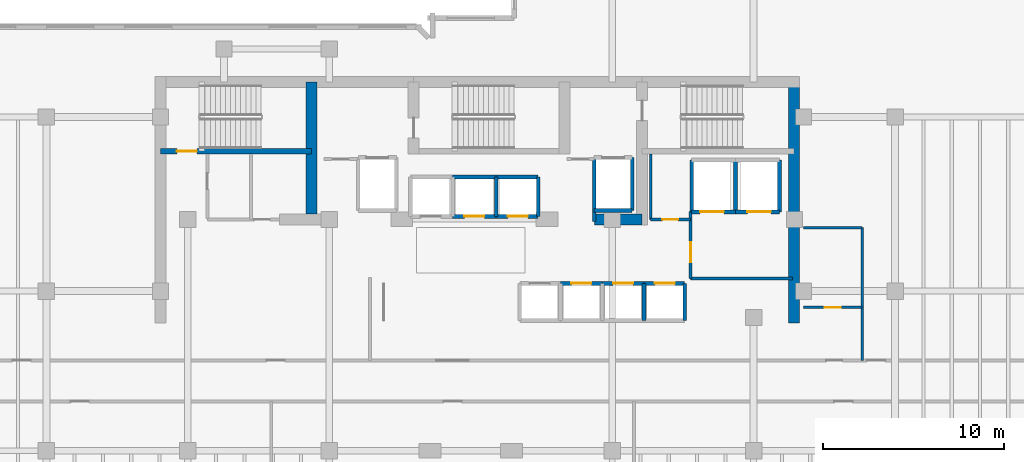
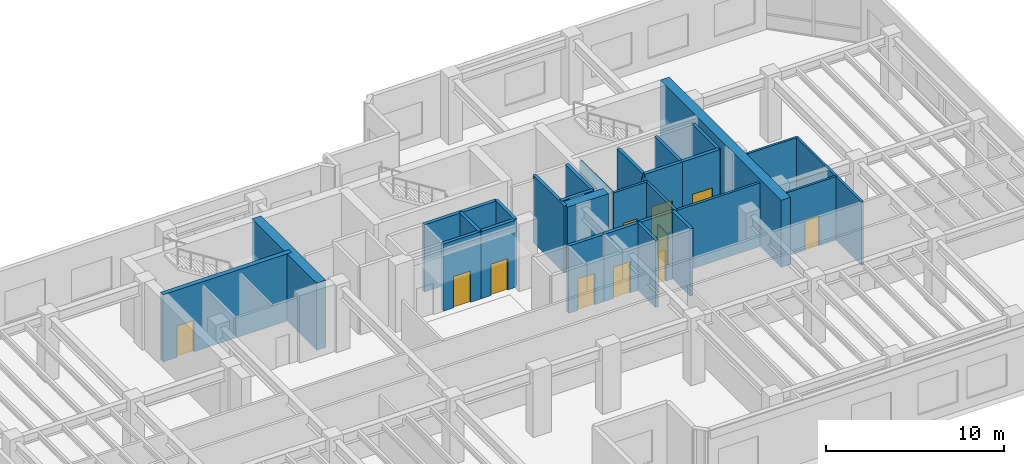
# One storey, part 15 of 20: 30 walls, 11 doors, 11 openings.
"""IFC4 building model written with IfcOpenShell, lengths in metres."""

from ifc_helpers import new_model, si_unit, direction, frame, frame_2d, origin, place, context, subcontext, project, spatial, rectangle, extrude, material, layer, layer_set, type_object, element, fill, save


model = new_model("IFC4")

# Units and contexts
model_context = context("Model", 3, precision=1e-05, world=origin(), true_north=direction((0.0, 1.0)))
body_context = subcontext(model_context, "Body", "Model", "MODEL_VIEW")
ifc_project = project(units=[si_unit("LENGTHUNIT", "METRE"), si_unit("AREAUNIT", "SQUARE_METRE"), si_unit("VOLUMEUNIT", "CUBIC_METRE"), si_unit("PLANEANGLEUNIT", "RADIAN"), si_unit("MASSUNIT", "GRAM", prefix="KILO")], contexts=[model_context])

# Site, building, storey
site_placement = place(None, origin())
site = spatial("IfcSite", under=ifc_project, at=site_placement, CompositionType="ELEMENT")
building_placement = place(site_placement, origin())
building = spatial("IfcBuilding", under=site, at=building_placement, Name="Kestravale Grand Hotel", CompositionType="ELEMENT")
storey_placement = place(building_placement, frame((0.0, 0.0, 231.89990234375)))
storey = spatial("IfcBuildingStorey", under=building, at=storey_placement, Name="L58", CompositionType="ELEMENT", Elevation=231.89990234375)

# Walls
ifc_material_1 = material(Name="Concrete f'c 50 MPa", Category="concrete")
ifc_layer_1 = layer(ifc_material_1, 0.60009765625)
ifc_layer_set_1 = layer_set([ifc_layer_1], Name="EW-CORE-600")
wall_type_1 = type_object("IfcWallType", Name="EW-CORE-600", PredefinedType="SHEAR", material=ifc_layer_set_1)
wall_1_placement = place(storey_placement, frame((56.820068359375, 27.050048828125, 0.0), z_axis=(0.0, 0.0, 1.0), x_axis=(0.0, 1.0, 0.0)))
element("IfcWall", 1, at=wall_1_placement, inside=storey, type_object=wall_type_1, Name="L58 core shear wall E1", PredefinedType="SHEAR", context=body_context, shape_type="SweptSolid", body=[
    extrude(rectangle(XDim=13.570068359375, YDim=0.60009765625, at=frame_2d((6.78515625, 0.0))), origin(), (0.0, 0.0, 1.0), 4.60009765625),
])
wall_2_placement = place(storey_placement, frame((45.81005859375, 32.75, 0.0), z_axis=(0.0, 0.0, 1.0), x_axis=(1.0, 0.0, 0.0)))
element("IfcWall", 2, at=wall_2_placement, inside=storey, type_object=wall_type_1, Name="L58 core shear wall S2", PredefinedType="SHEAR", context=body_context, shape_type="SweptSolid", body=[
    extrude(rectangle(XDim=2.639892578125, YDim=0.60009765625, at=frame_2d((1.31982421875, 0.0))), origin(), (0.0, 0.0, 1.0), 4.60009765625),
])
wall_3_placement = place(storey_placement, frame((30.219970703125, 33.050048828125, 0.0), z_axis=(0.0, 0.0, 1.0), x_axis=(0.0, 1.0, 0.0)))
element("IfcWall", 3, at=wall_3_placement, inside=storey, type_object=wall_type_1, Name="L58 core shear wall X1", PredefinedType="SHEAR", context=body_context, shape_type="SweptSolid", body=[
    extrude(rectangle(XDim=7.27001953125, YDim=0.60009765625, at=frame_2d((3.635009765625, 0.0))), origin(), (0.0, 0.0, 1.0), 4.60009765625),
])

# Wall, opening, door
ifc_material_2 = material(Name="Concrete f'c 45 MPa", Category="concrete")
ifc_layer_2 = layer(ifc_material_2, 0.300048828125)
ifc_layer_set_2 = layer_set([ifc_layer_2], Name="EW-STAIR-300")
wall_type_2 = type_object("IfcWallType", Name="EW-STAIR-300", PredefinedType="SHEAR", material=ifc_layer_set_2)
wall_4_placement = place(storey_placement, frame((21.89990234375, 36.52001953125, 0.0), z_axis=(0.0, 0.0, 1.0), x_axis=(1.0, 0.0, 0.0)))
wall_4 = element("IfcWall", 4, at=wall_4_placement, inside=storey, type_object=wall_type_2, Name="L58 stair enclosure shear wall SST1", PredefinedType="SHEAR", context=body_context, shape_type="SweptSolid", body=[
    extrude(rectangle(XDim=8.320068359375, YDim=0.300048828125, at=frame_2d((4.16015625, 0.0))), origin(), (0.0, 0.0, 1.0), 4.60009765625),
])
opening_1_placement = place(wall_4_placement, frame((0.89990234375, 0.0, 0.0)))
opening_1 = element("IfcOpeningElement", 5, at=opening_1_placement, cuts=wall_4, Name="Opening D-ST-1100", PredefinedType="OPENING", context=body_context, shape_type="SweptSolid", body=[
    extrude(rectangle(XDim=1.10009765625, YDim=2.14990234375, at=frame_2d((0.550048828125, 1.074951171875))), frame((0.0, 0.159912109375, 0.0), z_axis=(0.0, -1.0, 0.0), x_axis=(1.0, 0.0, 0.0)), (0.0, 0.0, 1.0), 0.320068359375),
])
ifc_material_3 = material(Name="Galvanised 90-minute fire-rated steel stair door", Category="steel")
door_type_1 = type_object("IfcDoorType", Name="D-ST-1100", OperationType="NOTDEFINED", PredefinedType="DOOR", material=ifc_material_3)
door_1_placement = place(opening_1_placement, origin())
door_1 = element("IfcDoor", 6, at=door_1_placement, inside=storey, type_object=door_type_1, Name="L58 Stair ST-1 fire door", OperationType="SINGLE_SWING_RIGHT", OverallHeight=2.14990234375, OverallWidth=1.10009765625, PredefinedType="DOOR", context=body_context, shape_type="SweptSolid", body=[
    extrude(rectangle(XDim=1.10009765625, YDim=2.14990234375, at=frame_2d((0.550048828125, 1.074951171875))), frame((0.0, 0.02490234375, 0.0), z_axis=(0.0, -1.0, 0.0), x_axis=(1.0, 0.0, 0.0)), (0.0, 0.0, 1.0), 0.050048828125),
])
fill(opening_1, door_1)

ifc_material_4 = material(Name="Acoustic fire-rated gypsum board partition", Category="other")
ifc_layer_3 = layer(ifc_material_4, 0.159912109375)
ifc_layer_set_3 = layer_set([ifc_layer_3], Name="IW-CORR-160")
wall_type_3 = type_object("IfcWallType", Name="IW-CORR-160", PredefinedType="PARTITIONING", material=ifc_layer_set_3)
wall_5_placement = place(storey_placement, frame((51.1201171875, 29.5, 0.0), z_axis=(0.0, 0.0, 1.0), x_axis=(0.0, 1.0, 0.0)))
wall_5 = element("IfcWall", 7, at=wall_5_placement, inside=storey, type_object=wall_type_3, Name="W-L58-SVCLOB-W", PredefinedType="PARTITIONING", context=body_context, shape_type="SweptSolid", body=[
    extrude(rectangle(XDim=3.699951171875, YDim=0.159912109375, at=frame_2d((1.85009765625, 0.0))), origin(), (0.0, 0.0, 1.0), 4.35009765625),
])
opening_2_placement = place(wall_5_placement, frame((0.89990234375, 0.0, 0.0)))
opening_2 = element("IfcOpeningElement", 8, at=opening_2_placement, cuts=wall_5, Name="Opening D-CORR-1100", PredefinedType="OPENING", context=body_context, shape_type="SweptSolid", body=[
    extrude(rectangle(XDim=1.10009765625, YDim=2.14990234375, at=frame_2d((0.550048828125, 1.074951171875))), frame((0.0, 0.08984375, 0.0), z_axis=(0.0, -1.0, 0.0), x_axis=(1.0, 0.0, 0.0)), (0.0, 0.0, 1.0), 0.179931640625),
])
ifc_material_5 = material(Name="Single-leaf service vestibule fire door", Category="steel")
door_type_2 = type_object("IfcDoorType", Name="D-CORR-1100", OperationType="NOTDEFINED", PredefinedType="DOOR", material=ifc_material_5)
door_2_placement = place(opening_2_placement, origin())
door_2 = element("IfcDoor", 9, at=door_2_placement, inside=storey, type_object=door_type_2, Name="L58 service lift lobby door", OperationType="SINGLE_SWING_LEFT", OverallHeight=2.14990234375, OverallWidth=1.10009765625, PredefinedType="DOOR", context=body_context, shape_type="SweptSolid", body=[
    extrude(rectangle(XDim=1.10009765625, YDim=2.14990234375, at=frame_2d((0.550048828125, 1.074951171875))), frame((0.0, 0.02490234375, 0.0), z_axis=(0.0, -1.0, 0.0), x_axis=(1.0, 0.0, 0.0)), (0.0, 0.0, 1.0), 0.050048828125),
])
fill(opening_2, door_2)

# Wall
wall_6_placement = place(storey_placement, frame((51.1201171875, 29.5, 0.0), z_axis=(0.0, 0.0, 1.0), x_axis=(1.0, 0.0, 0.0)))
element("IfcWall", 10, at=wall_6_placement, inside=storey, type_object=wall_type_3, Name="L58 service lift lobby wall", PredefinedType="PARTITIONING", context=body_context, shape_type="SweptSolid", body=[
    extrude(rectangle(XDim=5.6298828125, YDim=0.159912109375, at=frame_2d((2.81494140625, 0.0))), origin(), (0.0, 0.0, 1.0), 4.35009765625),
])

# Wall, opening, door
wall_7_placement = place(storey_placement, frame((48.919921875, 32.75, 0.0), z_axis=(0.0, 0.0, 1.0), x_axis=(1.0, 0.0, 0.0)))
wall_7 = element("IfcWall", 11, at=wall_7_placement, inside=storey, type_object=wall_type_3, Name="W-L58-CES", PredefinedType="PARTITIONING", context=body_context, shape_type="SweptSolid", body=[
    extrude(rectangle(XDim=2.2001953125, YDim=0.159912109375, at=frame_2d((1.10009765625, 0.0))), origin(), (0.0, 0.0, 1.0), 4.35009765625),
])
opening_3_placement = place(wall_7_placement, frame((0.64990234375, 0.0, 0.0)))
opening_3 = element("IfcOpeningElement", 12, at=opening_3_placement, cuts=wall_7, Name="Opening D-SH-860", PredefinedType="OPENING", context=body_context, shape_type="SweptSolid", body=[
    extrude(rectangle(XDim=0.860107421875, YDim=2.050048828125, at=frame_2d((0.43017578125, 1.02490234375))), frame((0.0, 0.08984375, 0.0), z_axis=(0.0, -1.0, 0.0), x_axis=(1.0, 0.0, 0.0)), (0.0, 0.0, 1.0), 0.179931640625),
])
ifc_material_6 = material(Name="Galvanised 90-minute riser fire door", Category="steel")
door_type_3 = type_object("IfcDoorType", Name="D-SH-860", OperationType="NOTDEFINED", PredefinedType="DOOR", material=ifc_material_6)
door_3_placement = place(opening_3_placement, origin())
door_3 = element("IfcDoor", 13, at=door_3_placement, inside=storey, type_object=door_type_3, Name="L58 CSTO1 door", OperationType="SINGLE_SWING_RIGHT", OverallHeight=2.050048828125, OverallWidth=0.860107421875, PredefinedType="DOOR", context=body_context, shape_type="SweptSolid", body=[
    extrude(rectangle(XDim=0.860107421875, YDim=2.050048828125, at=frame_2d((0.43017578125, 1.02490234375))), frame((0.0, 0.02490234375, 0.0), z_axis=(0.0, -1.0, 0.0), x_axis=(1.0, 0.0, 0.0)), (0.0, 0.0, 1.0), 0.050048828125),
])
fill(opening_3, door_3)

# Wall
ifc_material_7 = material(Name="Moisture-resistant tile-backer plumbing chase wall", Category="other")
ifc_layer_4 = layer(ifc_material_7, 0.139892578125)
ifc_layer_set_4 = layer_set([ifc_layer_4], Name="IW-PLB-140")
wall_type_4 = type_object("IfcWallType", Name="IW-PLB-140", PredefinedType="PLUMBINGWALL", material=ifc_layer_set_4)
wall_8_placement = place(storey_placement, frame((60.580078125, 24.97998046875, 0.0), z_axis=(0.0, 0.0, 1.0), x_axis=(0.0, 1.0, 0.0)))
element("IfcWall", 14, at=wall_8_placement, inside=storey, type_object=wall_type_4, Name="W-L58-NEV", PredefinedType="PLUMBINGWALL", context=body_context, shape_type="SweptSolid", body=[
    extrude(rectangle(XDim=7.320068359375, YDim=0.139892578125, at=frame_2d((3.66015625, 0.0))), origin(), (0.0, 0.0, 1.0), 4.35009765625),
])

# Wall, opening, door
wall_9_placement = place(storey_placement, frame((57.35009765625, 27.89990234375, 0.0), z_axis=(0.0, 0.0, 1.0), x_axis=(1.0, 0.0, 0.0)))
wall_9 = element("IfcWall", 15, at=wall_9_placement, inside=storey, type_object=wall_type_4, Name="W-L58-NE1", PredefinedType="PLUMBINGWALL", context=body_context, shape_type="SweptSolid", body=[
    extrude(rectangle(XDim=3.22998046875, YDim=0.139892578125, at=frame_2d((1.614990234375, 0.0))), origin(), (0.0, 0.0, 1.0), 4.35009765625),
])
opening_4_placement = place(wall_9_placement, frame((1.175048828125, 0.0, 0.0)))
opening_4 = element("IfcOpeningElement", 16, at=opening_4_placement, cuts=wall_9, Name="Opening D-BATH-880", PredefinedType="OPENING", context=body_context, shape_type="SweptSolid", body=[
    extrude(rectangle(XDim=0.8798828125, YDim=2.050048828125, at=frame_2d((0.43994140625, 1.02490234375))), frame((0.0, 0.079833984375, 0.0), z_axis=(0.0, -1.0, 0.0), x_axis=(1.0, 0.0, 0.0)), (0.0, 0.0, 1.0), 0.159912109375),
])
ifc_material_8 = material(Name="Moisture-sealed walnut en-suite bathroom door", Category="wood")
door_type_4 = type_object("IfcDoorType", Name="D-BATH-880", OperationType="NOTDEFINED", PredefinedType="DOOR", material=ifc_material_8)
door_4_placement = place(opening_4_placement, origin())
door_4 = element("IfcDoor", 17, at=door_4_placement, inside=storey, type_object=door_type_4, Name="D-L58-WCM", OperationType="SINGLE_SWING_RIGHT", OverallHeight=2.050048828125, OverallWidth=0.8798828125, PredefinedType="DOOR", context=body_context, shape_type="SweptSolid", body=[
    extrude(rectangle(XDim=0.8798828125, YDim=2.050048828125, at=frame_2d((0.43994140625, 1.02490234375))), frame((0.0, 0.02490234375, 0.0), z_axis=(0.0, -1.0, 0.0), x_axis=(1.0, 0.0, 0.0)), (0.0, 0.0, 1.0), 0.050048828125),
])
fill(opening_4, door_4)

# Walls
wall_10_placement = place(storey_placement, frame((57.35009765625, 32.300048828125, 0.0), z_axis=(0.0, 0.0, 1.0), x_axis=(1.0, 0.0, 0.0)))
element("IfcWall", 18, at=wall_10_placement, inside=storey, type_object=wall_type_4, Name="W-L58-NE2", PredefinedType="PLUMBINGWALL", context=body_context, shape_type="SweptSolid", body=[
    extrude(rectangle(XDim=3.22998046875, YDim=0.139892578125, at=frame_2d((1.614990234375, 0.0))), origin(), (0.0, 0.0, 1.0), 4.35009765625),
])
ifc_material_9 = material(Name="Concrete f'c 45 MPa", Category="concrete")
ifc_layer_5 = layer(ifc_material_9, 0.199951171875)
ifc_layer_set_5 = layer_set([ifc_layer_5], Name="IW-SHAFT-200")
wall_type_5 = type_object("IfcWallType", Name="IW-SHAFT-200", PredefinedType="SHEAR", material=ifc_layer_set_5)
for number, where, z_axis, x_axis, name in (
    (19, (48.550048828125, 27.169921875, 0.0), (0.0, 0.0, 1.0), (0.0, 1.0, 0.0), "L58 PL-M4 west shaft wall"),
    (20, (50.794921875, 27.169921875, 0.0), (0.0, 0.0, 1.0), (0.0, 1.0, 0.0), "L58 PL-M4 east shaft wall"),
):
    element("IfcWall", number, at=place(storey_placement, frame(where, z_axis=z_axis, x_axis=x_axis)), inside=storey, type_object=wall_type_5, Name=name, PredefinedType="SHEAR", context=body_context, shape_type="SweptSolid", body=[
        extrude(rectangle(XDim=2.06005859375, YDim=0.199951171875, at=frame_2d((1.030029296875, 0.0))), origin(), (0.0, 0.0, 1.0), 4.60009765625),
    ])
for number, where, z_axis, x_axis, name in (
    (21, (40.39990234375, 32.919921875, 0.0), (0.0, 0.0, 1.0), (0.0, 1.0, 0.0), "L58 PL-X3 west shaft wall"),
    (22, (42.719970703125, 32.919921875, 0.0), (0.0, 0.0, 1.0), (0.0, 1.0, 0.0), "L58 PL-X3 east shaft wall"),
):
    element("IfcWall", number, at=place(storey_placement, frame(where, z_axis=z_axis, x_axis=x_axis)), inside=storey, type_object=wall_type_5, Name=name, PredefinedType="SHEAR", context=body_context, shape_type="SweptSolid", body=[
        extrude(rectangle(XDim=2.16015625, YDim=0.199951171875, at=frame_2d((1.080078125, 0.0))), origin(), (0.0, 0.0, 1.0), 4.60009765625),
    ])
for number, where, z_axis, x_axis, name in (
    (23, (51.179931640625, 33.169921875, 0.0), (0.0, 0.0, 1.0), (0.0, 1.0, 0.0), "L58 SL-1 west shaft wall"),
    (24, (53.60009765625, 33.169921875, 0.0), (0.0, 0.0, 1.0), (0.0, 1.0, 0.0), "L58 SL-2 west shaft wall"),
    (25, (56.02001953125, 33.169921875, 0.0), (0.0, 0.0, 1.0), (0.0, 1.0, 0.0), "L58 SL-2 east shaft wall"),
):
    element("IfcWall", number, at=place(storey_placement, frame(where, z_axis=z_axis, x_axis=x_axis)), inside=storey, type_object=wall_type_5, Name=name, PredefinedType="SHEAR", context=body_context, shape_type="SweptSolid", body=[
        extrude(rectangle(XDim=2.860107421875, YDim=0.199951171875, at=frame_2d((1.43017578125, 0.0))), origin(), (0.0, 0.0, 1.0), 4.60009765625),
    ])
wall_11_placement = place(storey_placement, frame((45.804931640625, 32.64990234375, 0.0), z_axis=(0.0, 0.0, 1.0), x_axis=(0.0, 1.0, 0.0)))
element("IfcWall", 26, at=wall_11_placement, inside=storey, type_object=wall_type_5, Name="L58 FL-2 west shaft wall", PredefinedType="SHEAR", context=body_context, shape_type="SweptSolid", body=[
    extrude(rectangle(XDim=3.505126953125, YDim=0.199951171875, at=frame_2d((1.75244140625, 0.0))), origin(), (0.0, 0.0, 1.0), 4.60009765625),
])
wall_12_placement = place(storey_placement, frame((47.89501953125, 33.2451171875, 0.0), z_axis=(0.0, 0.0, 1.0), x_axis=(0.0, 1.0, 0.0)))
element("IfcWall", 27, at=wall_12_placement, inside=storey, type_object=wall_type_5, Name="L58 FL-2 east shaft wall", PredefinedType="SHEAR", context=body_context, shape_type="SweptSolid", body=[
    extrude(rectangle(XDim=2.909912109375, YDim=0.199951171875, at=frame_2d((1.455078125, 0.0))), origin(), (0.0, 0.0, 1.0), 4.60009765625),
])

# Wall, opening, door
ifc_material_10 = material(Name="Concrete f'c 45 MPa", Category="concrete")
ifc_layer_6 = layer(ifc_material_10, 0.219970703125)
ifc_layer_set_6 = layer_set([ifc_layer_6], Name="IW-SHAFT-220")
wall_type_6 = type_object("IfcWallType", Name="IW-SHAFT-220", PredefinedType="SHEAR", material=ifc_layer_set_6)
wall_13_placement = place(storey_placement, frame((43.949951171875, 29.22998046875, 0.0), z_axis=(0.0, 0.0, 1.0), x_axis=(1.0, 0.0, 0.0)))
wall_13 = element("IfcWall", 28, at=wall_13_placement, inside=storey, type_object=wall_type_6, Name="L58 PL-M2 north shaft wall", PredefinedType="SHEAR", context=body_context, shape_type="SweptSolid", body=[
    extrude(rectangle(XDim=2.300048828125, YDim=0.219970703125, at=frame_2d((1.14990234375, 0.0))), origin(), (0.0, 0.0, 1.0), 4.60009765625),
])
opening_5_placement = place(wall_13_placement, frame((0.60009765625, 0.0, 0.0)))
opening_5 = element("IfcOpeningElement", 29, at=opening_5_placement, cuts=wall_13, Name="Opening LD-PAX-1100", PredefinedType="OPENING", context=body_context, shape_type="SweptSolid", body=[
    extrude(rectangle(XDim=1.10009765625, YDim=2.14990234375, at=frame_2d((0.550048828125, 1.074951171875))), frame((0.0, 0.119873046875, 0.0), z_axis=(0.0, -1.0, 0.0), x_axis=(1.0, 0.0, 0.0)), (0.0, 0.0, 1.0), 0.239990234375),
])
ifc_material_11 = material(Name="Champagne-bronze center-opening sliding elevator landing door", Category="steel")
door_type_5 = type_object("IfcDoorType", Name="LD-PAX-1100", OperationType="NOTDEFINED", PredefinedType="DOOR", material=ifc_material_11)
door_5_placement = place(opening_5_placement, origin())
door_5 = element("IfcDoor", 30, at=door_5_placement, inside=storey, type_object=door_type_5, Name="L58 PL-M2 elevator landing sliding door", OperationType="DOUBLE_DOOR_SLIDING", OverallHeight=2.14990234375, OverallWidth=1.10009765625, PredefinedType="DOOR", context=body_context, shape_type="SweptSolid", body=[
    extrude(rectangle(XDim=1.10009765625, YDim=2.14990234375, at=frame_2d((0.550048828125, 1.074951171875))), frame((0.0, 0.02490234375, 0.0), z_axis=(0.0, -1.0, 0.0), x_axis=(1.0, 0.0, 0.0)), (0.0, 0.0, 1.0), 0.050048828125),
])
fill(opening_5, door_5)

wall_14_placement = place(storey_placement, frame((46.25, 29.22998046875, 0.0), z_axis=(0.0, 0.0, 1.0), x_axis=(1.0, 0.0, 0.0)))
wall_14 = element("IfcWall", 31, at=wall_14_placement, inside=storey, type_object=wall_type_6, Name="L58 PL-M3 north shaft wall", PredefinedType="SHEAR", context=body_context, shape_type="SweptSolid", body=[
    extrude(rectangle(XDim=2.300048828125, YDim=0.219970703125, at=frame_2d((1.14990234375, 0.0))), origin(), (0.0, 0.0, 1.0), 4.60009765625),
])
opening_6_placement = place(wall_14_placement, frame((0.60009765625, 0.0, 0.0)))
opening_6 = element("IfcOpeningElement", 32, at=opening_6_placement, cuts=wall_14, Name="Opening LD-PAX-1100", PredefinedType="OPENING", context=body_context, shape_type="SweptSolid", body=[
    extrude(rectangle(XDim=1.10009765625, YDim=2.14990234375, at=frame_2d((0.550048828125, 1.074951171875))), frame((0.0, 0.119873046875, 0.0), z_axis=(0.0, -1.0, 0.0), x_axis=(1.0, 0.0, 0.0)), (0.0, 0.0, 1.0), 0.239990234375),
])
door_6_placement = place(opening_6_placement, origin())
door_6 = element("IfcDoor", 33, at=door_6_placement, inside=storey, type_object=door_type_5, Name="L58 PL-M3 elevator landing sliding door", OperationType="DOUBLE_DOOR_SLIDING", OverallHeight=2.14990234375, OverallWidth=1.10009765625, PredefinedType="DOOR", context=body_context, shape_type="SweptSolid", body=[
    extrude(rectangle(XDim=1.10009765625, YDim=2.14990234375, at=frame_2d((0.550048828125, 1.074951171875))), frame((0.0, 0.02490234375, 0.0), z_axis=(0.0, -1.0, 0.0), x_axis=(1.0, 0.0, 0.0)), (0.0, 0.0, 1.0), 0.050048828125),
])
fill(opening_6, door_6)

wall_15_placement = place(storey_placement, frame((48.550048828125, 29.22998046875, 0.0), z_axis=(0.0, 0.0, 1.0), x_axis=(1.0, 0.0, 0.0)))
wall_15 = element("IfcWall", 34, at=wall_15_placement, inside=storey, type_object=wall_type_6, Name="L58 PL-M4 north shaft wall", PredefinedType="SHEAR", context=body_context, shape_type="SweptSolid", body=[
    extrude(rectangle(XDim=2.244873046875, YDim=0.219970703125, at=frame_2d((1.12255859375, 0.0))), origin(), (0.0, 0.0, 1.0), 4.60009765625),
])
opening_7_placement = place(wall_15_placement, frame((0.60009765625, 0.0, 0.0)))
opening_7 = element("IfcOpeningElement", 35, at=opening_7_placement, cuts=wall_15, Name="Opening LD-PAX-1100", PredefinedType="OPENING", context=body_context, shape_type="SweptSolid", body=[
    extrude(rectangle(XDim=1.10009765625, YDim=2.14990234375, at=frame_2d((0.550048828125, 1.074951171875))), frame((0.0, 0.119873046875, 0.0), z_axis=(0.0, -1.0, 0.0), x_axis=(1.0, 0.0, 0.0)), (0.0, 0.0, 1.0), 0.239990234375),
])
door_7_placement = place(opening_7_placement, origin())
door_7 = element("IfcDoor", 36, at=door_7_placement, inside=storey, type_object=door_type_5, Name="L58 PL-M4 elevator landing sliding door", OperationType="DOUBLE_DOOR_SLIDING", OverallHeight=2.14990234375, OverallWidth=1.10009765625, PredefinedType="DOOR", context=body_context, shape_type="SweptSolid", body=[
    extrude(rectangle(XDim=1.10009765625, YDim=2.14990234375, at=frame_2d((0.550048828125, 1.074951171875))), frame((0.0, 0.02490234375, 0.0), z_axis=(0.0, -1.0, 0.0), x_axis=(1.0, 0.0, 0.0)), (0.0, 0.0, 1.0), 0.050048828125),
])
fill(opening_7, door_7)

# Wall
wall_16_placement = place(storey_placement, frame((38.0, 35.080078125, 0.0), z_axis=(0.0, 0.0, 1.0), x_axis=(1.0, 0.0, 0.0)))
element("IfcWall", 37, at=wall_16_placement, inside=storey, type_object=wall_type_6, Name="L58 PL-X2 north shaft wall", PredefinedType="SHEAR", context=body_context, shape_type="SweptSolid", body=[
    extrude(rectangle(XDim=2.39990234375, YDim=0.219970703125, at=frame_2d((1.199951171875, 0.0))), origin(), (0.0, 0.0, 1.0), 4.60009765625),
])

# Wall, opening, door
wall_17_placement = place(storey_placement, frame((38.0, 32.919921875, 0.0), z_axis=(0.0, 0.0, 1.0), x_axis=(1.0, 0.0, 0.0)))
wall_17 = element("IfcWall", 38, at=wall_17_placement, inside=storey, type_object=wall_type_6, Name="L58 PL-X2 south shaft wall", PredefinedType="SHEAR", context=body_context, shape_type="SweptSolid", body=[
    extrude(rectangle(XDim=2.39990234375, YDim=0.219970703125, at=frame_2d((1.199951171875, 0.0))), origin(), (0.0, 0.0, 1.0), 4.60009765625),
])
opening_8_placement = place(wall_17_placement, frame((0.64990234375, 0.0, 0.0)))
opening_8 = element("IfcOpeningElement", 39, at=opening_8_placement, cuts=wall_17, Name="Opening LD-PAX-1100", PredefinedType="OPENING", context=body_context, shape_type="SweptSolid", body=[
    extrude(rectangle(XDim=1.10009765625, YDim=2.14990234375, at=frame_2d((0.550048828125, 1.074951171875))), frame((0.0, 0.119873046875, 0.0), z_axis=(0.0, -1.0, 0.0), x_axis=(1.0, 0.0, 0.0)), (0.0, 0.0, 1.0), 0.239990234375),
])
door_8_placement = place(opening_8_placement, origin())
door_8 = element("IfcDoor", 40, at=door_8_placement, inside=storey, type_object=door_type_5, Name="L58 PL-X2 elevator landing sliding door", OperationType="DOUBLE_DOOR_SLIDING", OverallHeight=2.14990234375, OverallWidth=1.10009765625, PredefinedType="DOOR", context=body_context, shape_type="SweptSolid", body=[
    extrude(rectangle(XDim=1.10009765625, YDim=2.14990234375, at=frame_2d((0.550048828125, 1.074951171875))), frame((0.0, 0.02490234375, 0.0), z_axis=(0.0, -1.0, 0.0), x_axis=(1.0, 0.0, 0.0)), (0.0, 0.0, 1.0), 0.050048828125),
])
fill(opening_8, door_8)

# Wall
wall_18_placement = place(storey_placement, frame((40.39990234375, 35.080078125, 0.0), z_axis=(0.0, 0.0, 1.0), x_axis=(1.0, 0.0, 0.0)))
element("IfcWall", 41, at=wall_18_placement, inside=storey, type_object=wall_type_6, Name="L58 PL-X3 north shaft wall", PredefinedType="SHEAR", context=body_context, shape_type="SweptSolid", body=[
    extrude(rectangle(XDim=2.320068359375, YDim=0.219970703125, at=frame_2d((1.16015625, 0.0))), origin(), (0.0, 0.0, 1.0), 4.60009765625),
])

# Wall, opening, door
wall_19_placement = place(storey_placement, frame((40.39990234375, 32.919921875, 0.0), z_axis=(0.0, 0.0, 1.0), x_axis=(1.0, 0.0, 0.0)))
wall_19 = element("IfcWall", 42, at=wall_19_placement, inside=storey, type_object=wall_type_6, Name="L58 PL-X3 south shaft wall", PredefinedType="SHEAR", context=body_context, shape_type="SweptSolid", body=[
    extrude(rectangle(XDim=2.320068359375, YDim=0.219970703125, at=frame_2d((1.16015625, 0.0))), origin(), (0.0, 0.0, 1.0), 4.60009765625),
])
opening_9_placement = place(wall_19_placement, frame((0.64990234375, 0.0, 0.0)))
opening_9 = element("IfcOpeningElement", 43, at=opening_9_placement, cuts=wall_19, Name="Opening LD-PAX-1100", PredefinedType="OPENING", context=body_context, shape_type="SweptSolid", body=[
    extrude(rectangle(XDim=1.10009765625, YDim=2.14990234375, at=frame_2d((0.550048828125, 1.074951171875))), frame((0.0, 0.119873046875, 0.0), z_axis=(0.0, -1.0, 0.0), x_axis=(1.0, 0.0, 0.0)), (0.0, 0.0, 1.0), 0.239990234375),
])
door_9_placement = place(opening_9_placement, origin())
door_9 = element("IfcDoor", 44, at=door_9_placement, inside=storey, type_object=door_type_5, Name="L58 PL-X3 elevator landing sliding door", OperationType="DOUBLE_DOOR_SLIDING", OverallHeight=2.14990234375, OverallWidth=1.10009765625, PredefinedType="DOOR", context=body_context, shape_type="SweptSolid", body=[
    extrude(rectangle(XDim=1.10009765625, YDim=2.14990234375, at=frame_2d((0.550048828125, 1.074951171875))), frame((0.0, 0.02490234375, 0.0), z_axis=(0.0, -1.0, 0.0), x_axis=(1.0, 0.0, 0.0)), (0.0, 0.0, 1.0), 0.050048828125),
])
fill(opening_9, door_9)

wall_20_placement = place(storey_placement, frame((51.179931640625, 33.169921875, 0.0), z_axis=(0.0, 0.0, 1.0), x_axis=(1.0, 0.0, 0.0)))
wall_20 = element("IfcWall", 45, at=wall_20_placement, inside=storey, type_object=wall_type_6, Name="L58 SL-1 south shaft wall", PredefinedType="SHEAR", context=body_context, shape_type="SweptSolid", body=[
    extrude(rectangle(XDim=2.420166015625, YDim=0.219970703125, at=frame_2d((1.2099609375, 0.0))), origin(), (0.0, 0.0, 1.0), 4.60009765625),
])
opening_10_placement = place(wall_20_placement, frame((0.469970703125, 0.0, 0.0)))
opening_10 = element("IfcOpeningElement", 46, at=opening_10_placement, cuts=wall_20, Name="Opening LD-SVC-1300", PredefinedType="OPENING", context=body_context, shape_type="SweptSolid", body=[
    extrude(rectangle(XDim=1.300048828125, YDim=2.14990234375, at=frame_2d((0.64990234375, 1.074951171875))), frame((0.0, 0.119873046875, 0.0), z_axis=(0.0, -1.0, 0.0), x_axis=(1.0, 0.0, 0.0)), (0.0, 0.0, 1.0), 0.239990234375),
])
ifc_material_12 = material(Name="Heavy-duty service sliding elevator landing door", Category="steel")
door_type_6 = type_object("IfcDoorType", Name="LD-SVC-1300", OperationType="NOTDEFINED", PredefinedType="DOOR", material=ifc_material_12)
door_10_placement = place(opening_10_placement, origin())
door_10 = element("IfcDoor", 47, at=door_10_placement, inside=storey, type_object=door_type_6, Name="L58 SL-1 elevator landing sliding door", OperationType="DOUBLE_DOOR_SLIDING", OverallHeight=2.14990234375, OverallWidth=1.300048828125, PredefinedType="DOOR", context=body_context, shape_type="SweptSolid", body=[
    extrude(rectangle(XDim=1.300048828125, YDim=2.14990234375, at=frame_2d((0.64990234375, 1.074951171875))), frame((0.0, 0.02490234375, 0.0), z_axis=(0.0, -1.0, 0.0), x_axis=(1.0, 0.0, 0.0)), (0.0, 0.0, 1.0), 0.050048828125),
])
fill(opening_10, door_10)

wall_21_placement = place(storey_placement, frame((53.60009765625, 33.169921875, 0.0), z_axis=(0.0, 0.0, 1.0), x_axis=(1.0, 0.0, 0.0)))
wall_21 = element("IfcWall", 48, at=wall_21_placement, inside=storey, type_object=wall_type_6, Name="L58 SL-2 south shaft wall", PredefinedType="SHEAR", context=body_context, shape_type="SweptSolid", body=[
    extrude(rectangle(XDim=2.419921875, YDim=0.219970703125, at=frame_2d((1.2099609375, 0.0))), origin(), (0.0, 0.0, 1.0), 4.60009765625),
])
opening_11_placement = place(wall_21_placement, frame((0.64990234375, 0.0, 0.0)))
opening_11 = element("IfcOpeningElement", 49, at=opening_11_placement, cuts=wall_21, Name="Opening LD-SVC-1300", PredefinedType="OPENING", context=body_context, shape_type="SweptSolid", body=[
    extrude(rectangle(XDim=1.300048828125, YDim=2.14990234375, at=frame_2d((0.64990234375, 1.074951171875))), frame((0.0, 0.119873046875, 0.0), z_axis=(0.0, -1.0, 0.0), x_axis=(1.0, 0.0, 0.0)), (0.0, 0.0, 1.0), 0.239990234375),
])
door_11_placement = place(opening_11_placement, origin())
door_11 = element("IfcDoor", 50, at=door_11_placement, inside=storey, type_object=door_type_6, Name="L58 SL-2 elevator landing sliding door", OperationType="DOUBLE_DOOR_SLIDING", OverallHeight=2.14990234375, OverallWidth=1.300048828125, PredefinedType="DOOR", context=body_context, shape_type="SweptSolid", body=[
    extrude(rectangle(XDim=1.300048828125, YDim=2.14990234375, at=frame_2d((0.64990234375, 1.074951171875))), frame((0.0, 0.02490234375, 0.0), z_axis=(0.0, -1.0, 0.0), x_axis=(1.0, 0.0, 0.0)), (0.0, 0.0, 1.0), 0.050048828125),
])
fill(opening_11, door_11)

# Walls
wall_22_placement = place(storey_placement, frame((45.804931640625, 33.2451171875, 0.0), z_axis=(0.0, 0.0, 1.0), x_axis=(1.0, 0.0, 0.0)))
element("IfcWall", 51, at=wall_22_placement, inside=storey, type_object=wall_type_6, Name="L58 FL-2 south shaft wall", PredefinedType="SHEAR", context=body_context, shape_type="SweptSolid", body=[
    extrude(rectangle(XDim=2.090087890625, YDim=0.219970703125, at=frame_2d((1.044921875, 0.0))), origin(), (0.0, 0.0, 1.0), 4.60009765625),
])
ifc_material_13 = material(Name="Double-stud STC 52 acoustic demising partition", Category="other")
ifc_layer_7 = layer(ifc_material_13, 0.14990234375)
ifc_layer_set_7 = layer_set([ifc_layer_7], Name="IW-UNIT-150")
wall_type_7 = type_object("IfcWallType", Name="IW-UNIT-150", PredefinedType="PARTITIONING", material=ifc_layer_set_7)
wall_23_placement = place(storey_placement, frame((48.919921875, 32.75, 0.0), z_axis=(0.0, 0.0, 1.0), x_axis=(0.0, 1.0, 0.0)))
element("IfcWall", 52, at=wall_23_placement, inside=storey, type_object=wall_type_7, Name="W-L58-CEW", PredefinedType="PARTITIONING", context=body_context, shape_type="SweptSolid", body=[
    extrude(rectangle(XDim=3.6201171875, YDim=0.14990234375, at=frame_2d((1.81005859375, 0.0))), origin(), (0.0, 0.0, 1.0), 4.35009765625),
])

save(model, "model.ifc")
